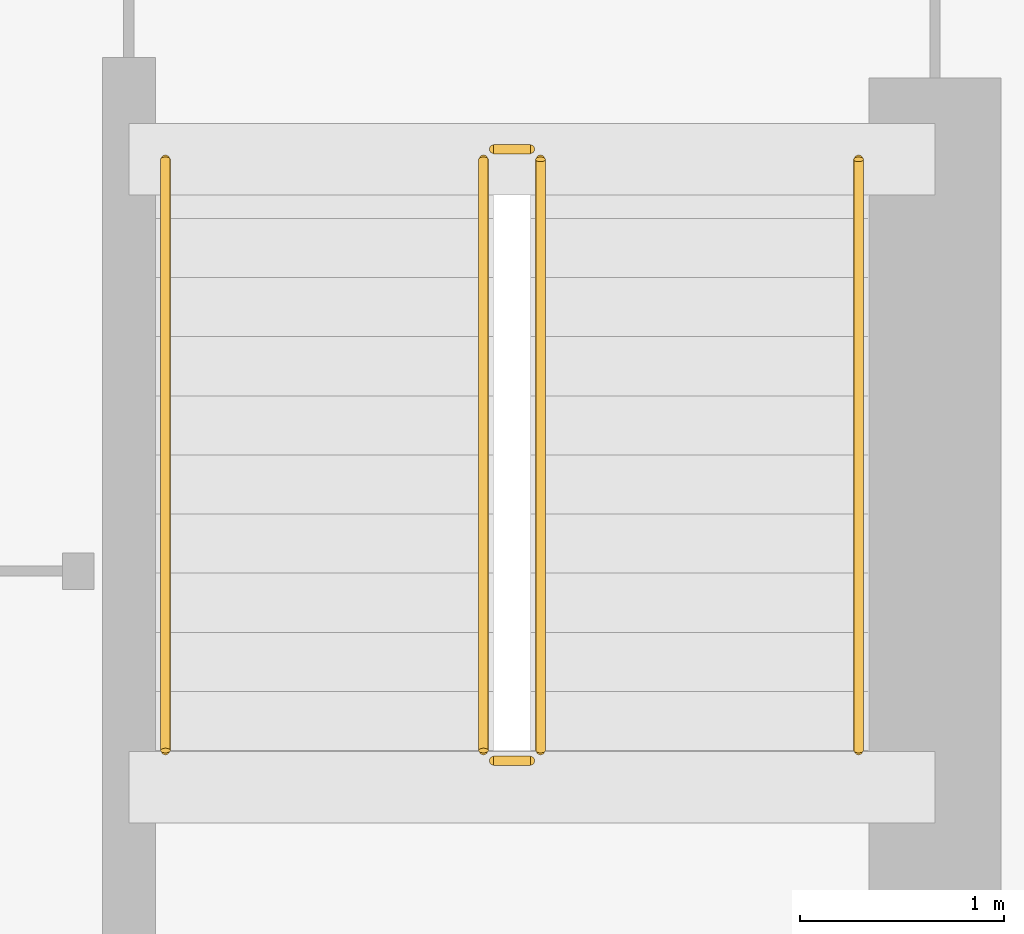
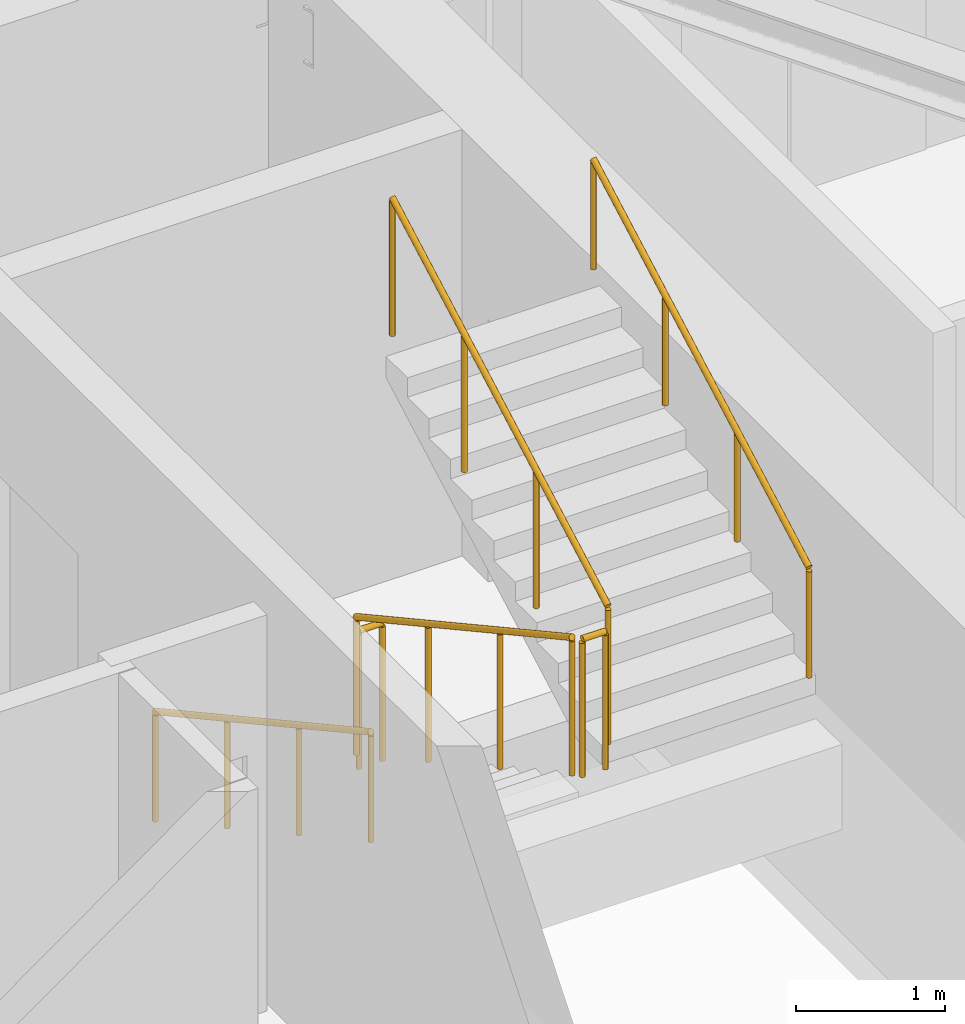
# One storey, part 11 of 11: 6 railings.
"""IFC4 building model written with IfcOpenShell, lengths in metres."""

from ifc_helpers import new_model, si_unit, direction, frame, origin, origin_2d, place, context, subcontext, project, spatial, circle, extrude, material, type_object, element, save


model = new_model("IFC4")

# Units and contexts
model_context = context("Model", 3, precision=1e-05, world=origin(), true_north=direction((0.0, 1.0)))
body_context = subcontext(model_context, "Body", "Model", "MODEL_VIEW")
ifc_project = project(units=[si_unit("LENGTHUNIT", "METRE"), si_unit("AREAUNIT", "SQUARE_METRE"), si_unit("VOLUMEUNIT", "CUBIC_METRE"), si_unit("PLANEANGLEUNIT", "RADIAN"), si_unit("MASSUNIT", "GRAM", prefix="KILO")], contexts=[model_context])

# Site, building, storey
site_placement = place(None, origin())
site = spatial("IfcSite", under=ifc_project, at=site_placement, CompositionType="ELEMENT")
building_placement = place(site_placement, origin())
building = spatial("IfcBuilding", under=site, at=building_placement, Name="Calvemar Wedge Station Tower", CompositionType="ELEMENT")
storey_placement = place(building_placement, frame((0.0, 0.0, 186.89990234375)))
storey = spatial("IfcBuildingStorey", under=building, at=storey_placement, Name="L46", CompositionType="ELEMENT", Elevation=186.89990234375)

# Railings
ifc_material_1 = material(Name="Stainless steel AISI 316L", Category="steel")
railing_type_1 = type_object("IfcRailingType", Name="RL-HANDRAIL-920", PredefinedType="HANDRAIL", material=ifc_material_1)
railing_1_placement = place(storey_placement, frame((27.550048828125, 41.14990234375, 0.1591796875)))
element("IfcRailing", 1, at=railing_1_placement, inside=storey, type_object=railing_type_1, Name="L46 ST-C2 stair handrail 1", PredefinedType="HANDRAIL", context=body_context, shape_type="SweptSolid", body=[
    extrude(circle(Radius=0.02392578125, at=origin_2d()), frame((0.0, 0.0, 0.89599609375), z_axis=(0.0, -0.876742130028, 0.480960744171), x_axis=(1.0, 0.0, 0.0)), (0.0, 0.0, 1.0), 3.3076171875),
    extrude(circle(Radius=0.02099609375, at=origin_2d()), origin(), (0.0, 0.0, 1.0), 0.871826171875),
    extrude(circle(Radius=0.02099609375, at=origin_2d()), frame((0.0, -0.966552734375, 0.5302734375)), (0.0, 0.0, 1.0), 0.871826171875),
    extrude(circle(Radius=0.02099609375, at=origin_2d()), frame((0.0, -1.933349609375, 1.060546875)), (0.0, 0.0, 1.0), 0.871826171875),
    extrude(circle(Radius=0.02099609375, at=origin_2d()), frame((0.0, -2.89990234375, 1.5908203125)), (0.0, 0.0, 1.0), 0.871826171875),
])
railing_2_placement = place(storey_placement, frame((30.949951171875, 38.25, 1.9091796875)))
element("IfcRailing", 2, at=railing_2_placement, inside=storey, type_object=railing_type_1, Name="L46 ST-C2 stair handrail 2", PredefinedType="HANDRAIL", context=body_context, shape_type="SweptSolid", body=[
    extrude(circle(Radius=0.02392578125, at=origin_2d()), frame((0.0, 0.0, 0.89599609375), z_axis=(0.0, 0.876742130028, 0.480960744171), x_axis=(-1.0, 0.0, 0.0)), (0.0, 0.0, 1.0), 3.3076171875),
    extrude(circle(Radius=0.02099609375, at=origin_2d()), origin(), (0.0, 0.0, 1.0), 0.871826171875),
    extrude(circle(Radius=0.02099609375, at=origin_2d()), frame((0.0, 0.966552734375, 0.5302734375)), (0.0, 0.0, 1.0), 0.871826171875),
    extrude(circle(Radius=0.02099609375, at=origin_2d()), frame((0.0, 1.933349609375, 1.060546875)), (0.0, 0.0, 1.0), 0.871826171875),
    extrude(circle(Radius=0.02099609375, at=origin_2d()), frame((0.0, 2.89990234375, 1.5908203125)), (0.0, 0.0, 1.0), 0.871826171875),
])
ifc_material_2 = material(Name="Painted steel guardrail ASTM A500 Grade C", Category="steel")
railing_type_2 = type_object("IfcRailingType", Name="RL-STAIR-GUARD-1150", PredefinedType="GUARDRAIL", material=ifc_material_2)
railing_3_placement = place(storey_placement, frame((29.110107421875, 41.14990234375, 0.1591796875)))
element("IfcRailing", 3, at=railing_3_placement, inside=storey, type_object=railing_type_2, Name="L46 ST-C2 stair guard 1", PredefinedType="GUARDRAIL", context=body_context, shape_type="SweptSolid", body=[
    extrude(circle(Radius=0.02392578125, at=origin_2d()), frame((0.0, 0.0, 1.1259765625), z_axis=(0.0, -0.876742130028, 0.480960744171), x_axis=(1.0, 0.0, 0.0)), (0.0, 0.0, 1.0), 3.3076171875),
    extrude(circle(Radius=0.02099609375, at=origin_2d()), origin(), (0.0, 0.0, 1.0), 1.101806640625),
    extrude(circle(Radius=0.02099609375, at=origin_2d()), frame((0.0, -0.966552734375, 0.5302734375)), (0.0, 0.0, 1.0), 1.101806640625),
    extrude(circle(Radius=0.02099609375, at=origin_2d()), frame((0.0, -1.933349609375, 1.060546875)), (0.0, 0.0, 1.0), 1.101806640625),
    extrude(circle(Radius=0.02099609375, at=origin_2d()), frame((0.0, -2.89990234375, 1.5908203125)), (0.0, 0.0, 1.0), 1.101806640625),
])
railing_4_placement = place(storey_placement, frame((29.159912109375, 38.199951171875, 1.75)))
element("IfcRailing", 4, at=railing_4_placement, inside=storey, type_object=railing_type_2, Name="L46 ST-C2 stair guard 2", PredefinedType="GUARDRAIL", context=body_context, shape_type="SweptSolid", body=[
    extrude(circle(Radius=0.02392578125, at=origin_2d()), frame((0.0, 0.0, 1.1259765625), z_axis=(1.0, 0.0, 0.0), x_axis=(0.0, 1.0, 0.0)), (0.0, 0.0, 1.0), 0.18017578125),
    extrude(circle(Radius=0.02099609375, at=origin_2d()), origin(), (0.0, 0.0, 1.0), 1.101806640625),
    extrude(circle(Radius=0.02099609375, at=origin_2d()), frame((0.18017578125, 0.0, 0.0)), (0.0, 0.0, 1.0), 1.101806640625),
])
railing_5_placement = place(storey_placement, frame((29.389892578125, 38.25, 1.9091796875)))
element("IfcRailing", 5, at=railing_5_placement, inside=storey, type_object=railing_type_2, Name="L46 ST-C2 stair guard 3", PredefinedType="GUARDRAIL", context=body_context, shape_type="SweptSolid", body=[
    extrude(circle(Radius=0.02392578125, at=origin_2d()), frame((0.0, 0.0, 1.1259765625), z_axis=(0.0, 0.876742130028, 0.480960744171), x_axis=(-1.0, 0.0, 0.0)), (0.0, 0.0, 1.0), 3.3076171875),
    extrude(circle(Radius=0.02099609375, at=origin_2d()), origin(), (0.0, 0.0, 1.0), 1.101806640625),
    extrude(circle(Radius=0.02099609375, at=origin_2d()), frame((0.0, 0.966552734375, 0.5302734375)), (0.0, 0.0, 1.0), 1.101806640625),
    extrude(circle(Radius=0.02099609375, at=origin_2d()), frame((0.0, 1.933349609375, 1.060546875)), (0.0, 0.0, 1.0), 1.101806640625),
    extrude(circle(Radius=0.02099609375, at=origin_2d()), frame((0.0, 2.89990234375, 1.5908203125)), (0.0, 0.0, 1.0), 1.101806640625),
])
railing_6_placement = place(storey_placement, frame((29.159912109375, 41.199951171875, 0.0)))
element("IfcRailing", 6, at=railing_6_placement, inside=storey, type_object=railing_type_2, Name="L46 ST-C2 stair guard 4", PredefinedType="GUARDRAIL", context=body_context, shape_type="SweptSolid", body=[
    extrude(circle(Radius=0.02392578125, at=origin_2d()), frame((0.0, 0.0, 1.1259765625), z_axis=(1.0, 0.0, 0.0), x_axis=(0.0, 1.0, 0.0)), (0.0, 0.0, 1.0), 0.18017578125),
    extrude(circle(Radius=0.02099609375, at=origin_2d()), origin(), (0.0, 0.0, 1.0), 1.101806640625),
    extrude(circle(Radius=0.02099609375, at=origin_2d()), frame((0.18017578125, 0.0, 0.0)), (0.0, 0.0, 1.0), 1.101806640625),
])

save(model, "model.ifc")
